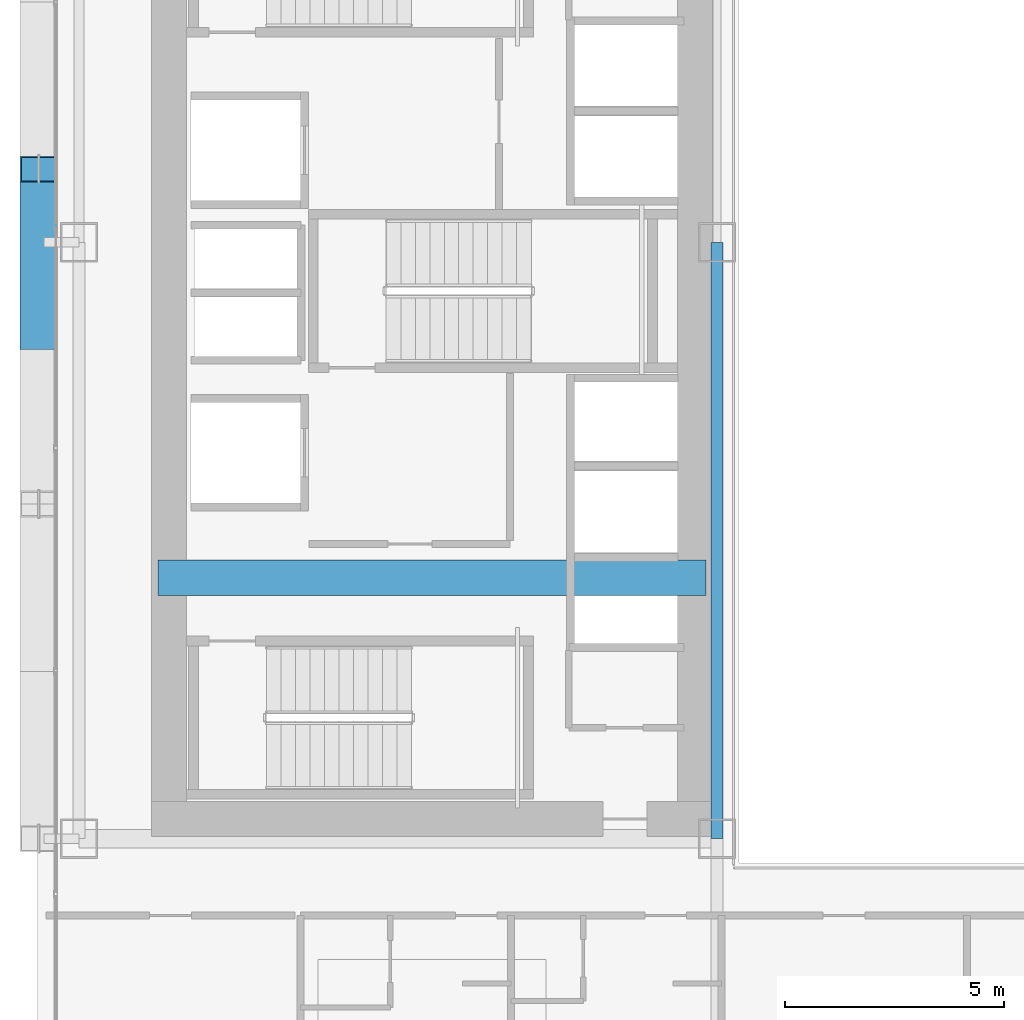
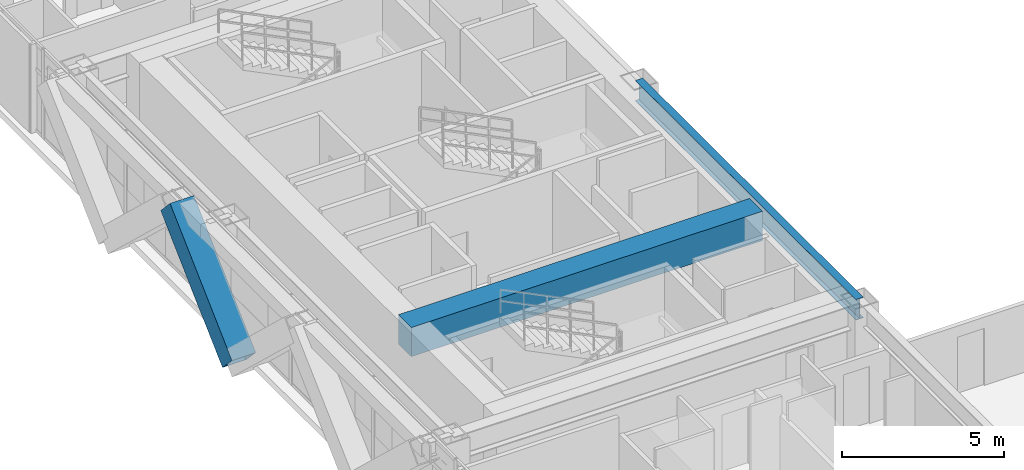
# One storey, part 7 of 38: 2 beams, 1 member.
"""IFC4 building model written with IfcOpenShell, lengths in metres."""

from ifc_helpers import new_model, si_unit, direction, frame, origin, origin_2d, place, context, subcontext, project, spatial, rectangle, hollow_rectangle, i_section, extrude, source, transform, mapped, material, material_profile, profile_set, type_object, element, save


model = new_model("IFC4")

# Units and contexts
model_context = context("Model", 3, precision=1e-05, world=origin(), true_north=direction((0.0, 1.0)))
body_context = subcontext(model_context, "Body", "Model", "MODEL_VIEW")
ifc_project = project(units=[si_unit("LENGTHUNIT", "METRE"), si_unit("AREAUNIT", "SQUARE_METRE"), si_unit("VOLUMEUNIT", "CUBIC_METRE"), si_unit("PLANEANGLEUNIT", "RADIAN"), si_unit("MASSUNIT", "GRAM", prefix="KILO")], contexts=[model_context])

# Site, building, storey
site_placement = place(None, origin())
site = spatial("IfcSite", under=ifc_project, at=site_placement, CompositionType="ELEMENT")
building_placement = place(site_placement, origin())
building = spatial("IfcBuilding", under=site, at=building_placement, Name="Ocotamira Hotel", CompositionType="ELEMENT")
storey_placement = place(building_placement, frame((0.0, 0.0, 74.39990234375)))
storey = spatial("IfcBuildingStorey", under=building, at=storey_placement, Name="L18", CompositionType="ELEMENT", Elevation=74.39990234375)

# Beams
ifc_material_1 = material(Name="Concrete C60/75", Category="concrete")
ifc_material_profile_1 = material_profile(ifc_material_1, rectangle(XDim=0.800048828125, YDim=1.10009765625, at=origin_2d()), Name="RC800X1100")
ifc_profile_set_1 = profile_set([ifc_material_profile_1], Name="Concrete C60/75")
beam_type_1 = type_object("IfcBeamType", Name="BM-LINK-RC800", PredefinedType="LINTEL", material=ifc_profile_set_1)
shared_shape_1 = source(origin(), body_context, "Body", "SweptSolid", [
    extrude(rectangle(XDim=0.800048828125, YDim=1.10009765625, at=origin_2d()), origin(), (0.0, 0.0, 1.0), 12.5),
])
beam_1_placement = place(storey_placement, frame((10.75, 20.5, 2.800048828125), z_axis=(1.0, 0.0, 0.0), x_axis=(0.0, 1.0, 0.0)))
element("IfcBeam", 1, at=beam_1_placement, inside=storey, type_object=beam_type_1, Name="L18 West Core Coupling Beam", PredefinedType="LINTEL", context=body_context, shape_type="MappedRepresentation", body=[
    mapped(shared_shape_1, transform((0.0, 0.0, 0.0), scale=1.0)),
])
ifc_material_2 = material(Name="Steel ASTM A992 Grade 50", Category="steel")
ifc_material_profile_2 = material_profile(ifc_material_2, i_section(OverallWidth=0.26611328125, OverallDepth=0.779052734375, WebThickness=0.0166015625, FlangeThickness=0.030029296875, FilletRadius=0.01806640625, at=origin_2d()), Name="W30X148")
ifc_profile_set_2 = profile_set([ifc_material_profile_2], Name="Steel ASTM A992 Grade 50")
beam_type_2 = type_object("IfcBeamType", Name="BM-GIRD-W30X148", PredefinedType="BEAM", material=ifc_profile_set_2)
shared_shape_2 = source(origin(), body_context, "Body", "SweptSolid", [
    extrude(i_section(OverallWidth=0.26611328125, OverallDepth=0.779052734375, WebThickness=0.0166015625, FlangeThickness=0.030029296875, FilletRadius=0.01806640625, at=origin_2d()), origin(), (0.0, 0.0, 1.0), 13.599853515625),
])
beam_2_placement = place(storey_placement, frame((23.5, 14.550048828125, 2.960693359375), z_axis=(0.0, 1.0, 0.0), x_axis=(-1.0, 0.0, 0.0)))
element("IfcBeam", 2, at=beam_2_placement, inside=storey, type_object=beam_type_2, Name="L18 Beam X23.5 Y14.55-28.15", PredefinedType="BEAM", context=body_context, shape_type="MappedRepresentation", body=[
    mapped(shared_shape_2, transform((0.0, 0.0, 0.0), scale=1.0)),
])

# Member
ifc_material_3 = material(Name="Pale-metal coated steel ASTM A913 Grade 65", Category="steel")
ifc_material_profile_3 = material_profile(ifc_material_3, hollow_rectangle(XDim=0.85009765625, YDim=0.85009765625, WallThickness=0.035888671875, at=origin_2d()), Name="BOX850X850X36")
ifc_profile_set_3 = profile_set([ifc_material_profile_3], Name="Pale-metal coated steel ASTM A913 Grade 65")
member_type = type_object("IfcMemberType", Name="MEM-EXO-BOX850", PredefinedType="BRACE", material=ifc_profile_set_3)
shared_shape_3 = source(origin(), body_context, "Body", "SweptSolid", [
    extrude(hollow_rectangle(XDim=0.85009765625, YDim=0.85009765625, WallThickness=0.035888671875, at=origin_2d()), origin(), (0.0, 0.0, 1.0), 5.24658203125),
])
member_placement = place(storey_placement, frame((8.030029296875, 26.0, -0.5), z_axis=(0.0, 0.727442733726, 0.686168397078), x_axis=(-1.0, 0.0, 0.0)))
element("IfcMember", 3, at=member_placement, inside=storey, type_object=member_type, Name="L18 Exoskeleton Diagrid W1.2", PredefinedType="BRACE", context=body_context, shape_type="MappedRepresentation", body=[
    mapped(shared_shape_3, transform((0.0, 0.0, 0.0), scale=1.0)),
])

save(model, "model.ifc")
